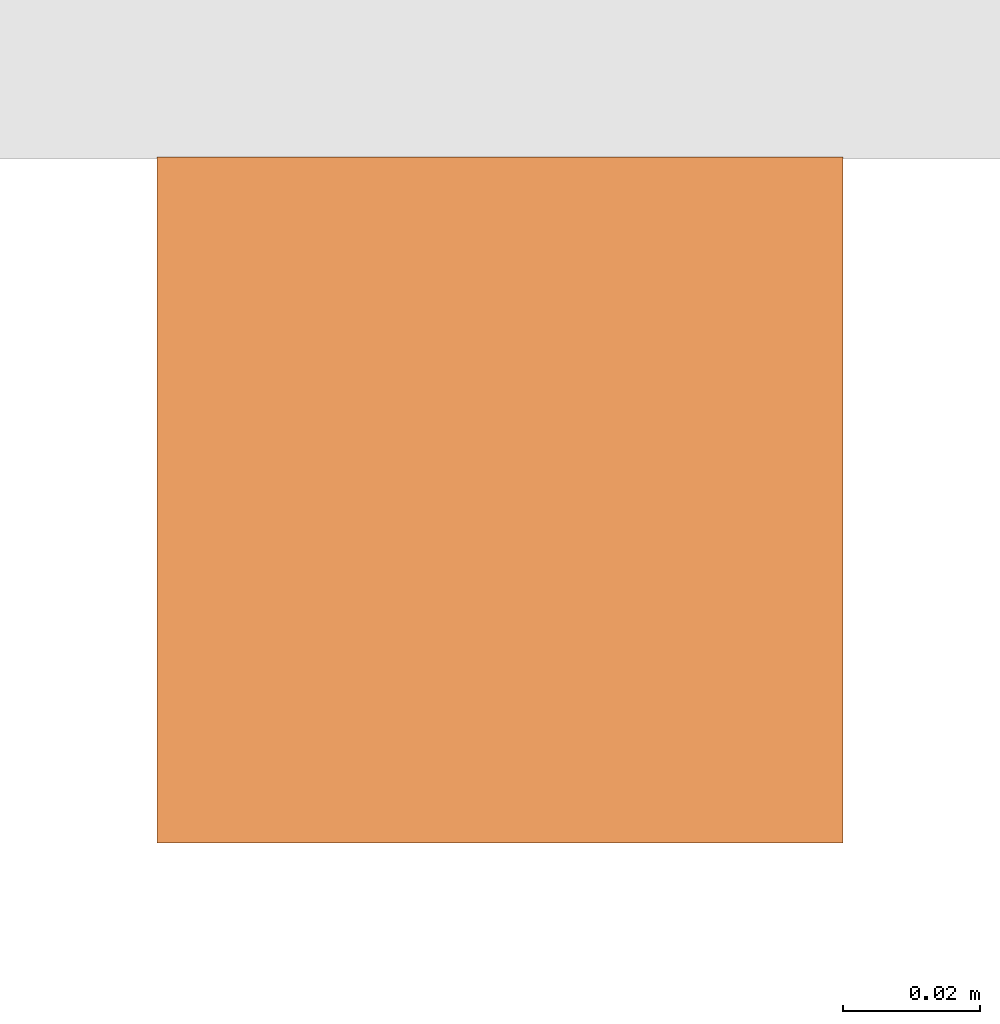
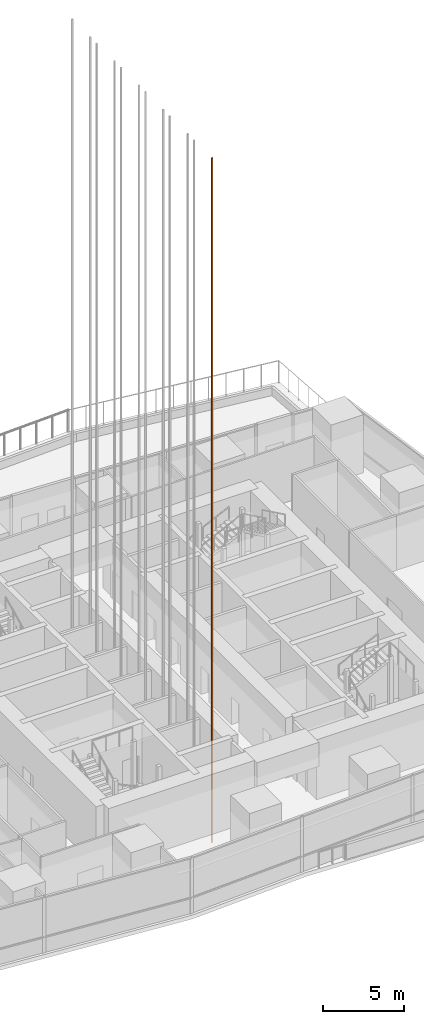
# One storey, part 28 of 39: 1 proxy.
"""IFC4 building model written with IfcOpenShell, lengths in metres."""

import ifcopenshell
import ifcopenshell.guid

model = None  # the IFC model being written
_history = None  # IfcOwnerHistory: only IFC2X3 demands one
_inside = {}  # id of a spatial element -> (the spatial element, [elements in it])
_under = {}  # id of a project, library or spatial element -> (it, [spatial elements below it])
_declared = {}  # id of a project -> (the project, [libraries it declares])
_typed = {}  # id of a type object -> (the type object, [elements of that type])
_made_of = {}  # id of a material, layer set ... -> (it, [elements and type objects made of it])


def new_model(schema):
    """Start an empty IFC model of exactly this schema.

    Asked for "IFC4X3", IfcOpenShell would pick the latest addendum, in which some entities
    have other attributes; the version numbers below select the first issue.
    IFC2X3 requires an IfcOwnerHistory on every rooted entity: one is made here for all.
    """
    global model, _history
    if schema == "IFC4X3":
        model = ifcopenshell.file(schema_version=(4, 3, 0, 0))
    else:
        model = ifcopenshell.file(schema=schema)
    _inside.clear()
    _under.clear()
    _declared.clear()
    _typed.clear()
    _made_of.clear()
    _history = None
    if model.schema == "IFC2X3":
        org = make("IfcOrganization", Name="unknown")
        user = make(
            "IfcPersonAndOrganization",
            ThePerson=make("IfcPerson", FamilyName="unknown"),
            TheOrganization=org,
        )
        app = make(
            "IfcApplication",
            ApplicationDeveloper=org,
            Version="unknown",
            ApplicationFullName="unknown",
            ApplicationIdentifier="unknown",
        )
        _history = make(
            "IfcOwnerHistory",
            OwningUser=user,
            OwningApplication=app,
            ChangeAction="ADDED",
            CreationDate=0,
        )
    return model


def make(cls, **values):
    """One entity of the class cls with the attributes given. An attribute that is None is left unset."""
    return model.create_entity(
        cls, **{name: value for name, value in values.items() if value is not None}
    )


def rooted(cls, **values):
    """An entity with a GlobalId (a new one), such as an element, a storey or a relation."""
    return make(cls, GlobalId=ifcopenshell.guid.new(), OwnerHistory=_history, **values)


def si_unit(unit_type, name, prefix=None):
    """IfcSIUnit, for example si_unit("LENGTHUNIT", "METRE", prefix="MILLI")."""
    return make("IfcSIUnit", UnitType=unit_type, Prefix=prefix, Name=name)


def assignment(units):
    """IfcUnitAssignment: the units of a project."""
    return None if units is None else make("IfcUnitAssignment", Units=units)


def point(xyz):
    """IfcCartesianPoint."""
    return None if xyz is None else make("IfcCartesianPoint", Coordinates=xyz)


def direction(xyz):
    """IfcDirection."""
    return None if xyz is None else make("IfcDirection", DirectionRatios=xyz)


def frame(location, z_axis=None, x_axis=None):
    """IfcAxis2Placement3D, a coordinate frame: its origin and axes. An axis left out is left unset."""
    return make(
        "IfcAxis2Placement3D",
        Location=point(location),
        Axis=direction(z_axis),
        RefDirection=direction(x_axis),
    )


def frame_2d(location, x_axis=None):
    """IfcAxis2Placement2D, a coordinate frame in the plane: its origin and x axis."""
    return make(
        "IfcAxis2Placement2D", Location=point(location), RefDirection=direction(x_axis)
    )


def origin():
    """The frame at (0, 0, 0) with its axes left unset."""
    return frame((0.0, 0.0, 0.0))


def origin_2d():
    """The frame at (0, 0) in the plane with its x axis left unset."""
    return frame_2d((0.0, 0.0))


def place(relative_to, where):
    """IfcLocalPlacement: puts the frame where relative to a parent placement (None: the world)."""
    return make(
        "IfcLocalPlacement", PlacementRelTo=relative_to, RelativePlacement=where
    )


def context(
    kind, dimensions, precision=None, world=None, true_north=None, identifier=None
):
    """IfcGeometricRepresentationContext, for example the 3D "Model" context."""
    return make(
        "IfcGeometricRepresentationContext",
        ContextIdentifier=identifier,
        ContextType=kind,
        CoordinateSpaceDimension=dimensions,
        Precision=precision,
        WorldCoordinateSystem=world,
        TrueNorth=true_north,
    )


def subcontext(parent, identifier, kind, view, scale=None):
    """IfcGeometricRepresentationSubContext, for example "Body" below "Model"."""
    return make(
        "IfcGeometricRepresentationSubContext",
        ContextIdentifier=identifier,
        ContextType=kind,
        ParentContext=parent,
        TargetScale=scale,
        TargetView=view,
    )


def project(units=None, contexts=None):
    """IfcProject with its units and contexts."""
    return rooted(
        "IfcProject",
        Name="project",
        RepresentationContexts=contexts,
        UnitsInContext=assignment(units),
    )


def spatial(cls, under=None, at=None, **own):
    """A site, building, storey or space (cls), placed at a placement, below another one or the project."""
    s = rooted(cls, ObjectPlacement=at, **own)
    if under is not None:
        _under.setdefault(under.id(), (under, []))[1].append(s)
    return s


def profile(cls, at=None, kind="AREA", **sizes):
    """A parametric profile (cls). Its sizes go by their IFC names, for example OverallWidth=200.0."""
    return make(cls, ProfileType=kind, Position=at, **sizes)


def rectangle(**sizes):
    """IfcRectangleProfileDef."""
    return profile("IfcRectangleProfileDef", **sizes)


def extrude(swept, where, along, depth):
    """IfcExtrudedAreaSolid: the profile swept, set in the frame where, extruded along a direction by depth."""
    return make(
        "IfcExtrudedAreaSolid",
        SweptArea=swept,
        Position=where,
        ExtrudedDirection=direction(along),
        Depth=depth,
    )


def shape(context_of_items, identifier, shape_type, items):
    """IfcShapeRepresentation: the items that make up one representation, for example the "Body"."""
    return make(
        "IfcShapeRepresentation",
        ContextOfItems=context_of_items,
        RepresentationIdentifier=identifier,
        RepresentationType=shape_type,
        Items=items,
    )


def material(Name=None, Category=None):
    """IfcMaterial."""
    return make("IfcMaterial", Name=Name, Category=Category)


def made_of(thing, what):
    """Note that an element or type object is made of a material, layer set ...; save() writes the relation."""
    if what is not None:
        _made_of.setdefault(what.id(), (what, []))[1].append(thing)
    return thing


def type_object(cls, material=None, **own):
    """A type object (cls), such as IfcWallType, which elements share."""
    return made_of(rooted(cls, **own), material)


def element(
    cls,
    number,
    at=None,
    inside=None,
    cuts=None,
    type_object=None,
    material=None,
    context=None,
    identifier="Body",
    shape_type=None,
    held_by="IfcProductDefinitionShape",
    body=None,
    shapes=None,
    **own,
):
    """One element of the class cls, such as IfcWall. Its Tag is "e" and its number.

    at: its placement. inside: the storey or other place that contains it. cuts: it is an
    opening in that element (IfcRelVoidsElement). A single representation is given by context,
    identifier, shape_type and body (its items); several are given by shapes. held_by: the class
    of the entity that holds the representations. save() writes the other relations.
    """
    e = rooted(cls, Tag="e%d" % number, ObjectPlacement=at, **own)
    if body is not None:
        shapes = [shape(context, identifier, shape_type, body)]
    if shapes is not None:
        e.Representation = make(held_by, Representations=shapes)
    if inside is not None:
        _inside.setdefault(inside.id(), (inside, []))[1].append(e)
    if cuts is not None:
        rooted(
            "IfcRelVoidsElement", RelatingBuildingElement=cuts, RelatedOpeningElement=e
        )
    if type_object is not None:
        _typed.setdefault(type_object.id(), (type_object, []))[1].append(e)
    return made_of(e, material)


def aggregate(whole, parts):
    """IfcRelAggregates: a whole, such as a stair, and the parts it consists of."""
    return rooted("IfcRelAggregates", RelatingObject=whole, RelatedObjects=parts)


def save(model, path):
    """Write the relations noted so far, then the file.

    IfcRelAggregates (storeys below a building ...), IfcRelContainedInSpatialStructure (elements
    in a storey), IfcRelDefinesByType, IfcRelAssociatesMaterial and IfcRelDeclares: one each for
    every whole, place, type object, material and project.
    """
    for whole, parts in _under.values():
        aggregate(whole, parts)
    for where, things in _inside.values():
        rooted(
            "IfcRelContainedInSpatialStructure",
            RelatedElements=things,
            RelatingStructure=where,
        )
    for kind, things in _typed.values():
        rooted("IfcRelDefinesByType", RelatedObjects=things, RelatingType=kind)
    for what, things in _made_of.values():
        rooted("IfcRelAssociatesMaterial", RelatedObjects=things, RelatingMaterial=what)
    for by, libraries in _declared.values():
        rooted("IfcRelDeclares", RelatingContext=by, RelatedDefinitions=libraries)
    model.write(path)


model = new_model("IFC4")

# Units and contexts
model_context = context("Model", 3, precision=1e-05, world=origin(), true_north=direction((0.0, 1.0)))
body_context = subcontext(model_context, "Body", "Model", "MODEL_VIEW")
ifc_project = project(units=[si_unit("LENGTHUNIT", "METRE"), si_unit("AREAUNIT", "SQUARE_METRE"), si_unit("VOLUMEUNIT", "CUBIC_METRE"), si_unit("PLANEANGLEUNIT", "RADIAN"), si_unit("MASSUNIT", "GRAM", prefix="KILO")], contexts=[model_context])

# Site, building, storey
site_placement = place(None, origin())
site = spatial("IfcSite", under=ifc_project, at=site_placement, CompositionType="ELEMENT")
building_placement = place(site_placement, origin())
building = spatial("IfcBuilding", under=site, at=building_placement, Name="Rekha Terrace Tower", CompositionType="ELEMENT")
storey_placement = place(building_placement, frame((0.0, 0.0, 245.60009765625)))
storey = spatial("IfcBuildingStorey", under=building, at=storey_placement, Name="L62", CompositionType="ELEMENT", Elevation=245.60009765625)

# Proxy
ifc_material = material(Name="Steel guide rail", Category="steel")
building_element_proxy_type = type_object("IfcBuildingElementProxyType", Name="LR1 100 lift guide rail", PredefinedType="ELEMENT", material=ifc_material)
proxy_placement = place(storey_placement, frame((34.5, 23.800048828125, -3.30029296875), z_axis=(0.0, 0.0, 1.0), x_axis=(1.0, 0.0, 0.0)))
element("IfcBuildingElementProxy", 1, at=proxy_placement, inside=storey, type_object=building_element_proxy_type, Name="Lift D1 guide rail 1", PredefinedType="ELEMENT", context=body_context, shape_type="SweptSolid", body=[
    extrude(rectangle(XDim=0.10009765625, YDim=0.10009765625, at=origin_2d()), origin(), (0.0, 0.0, 1.0), 51.449951171875),
])

save(model, "model.ifc")
